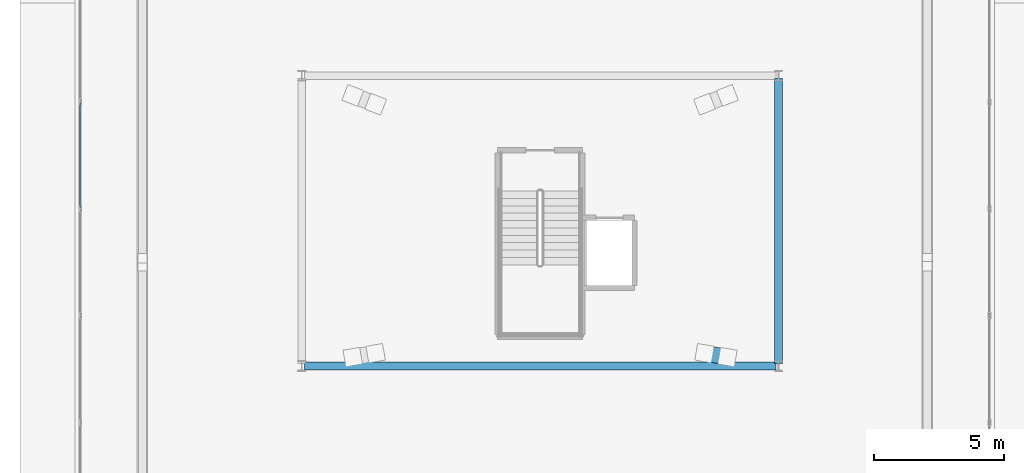
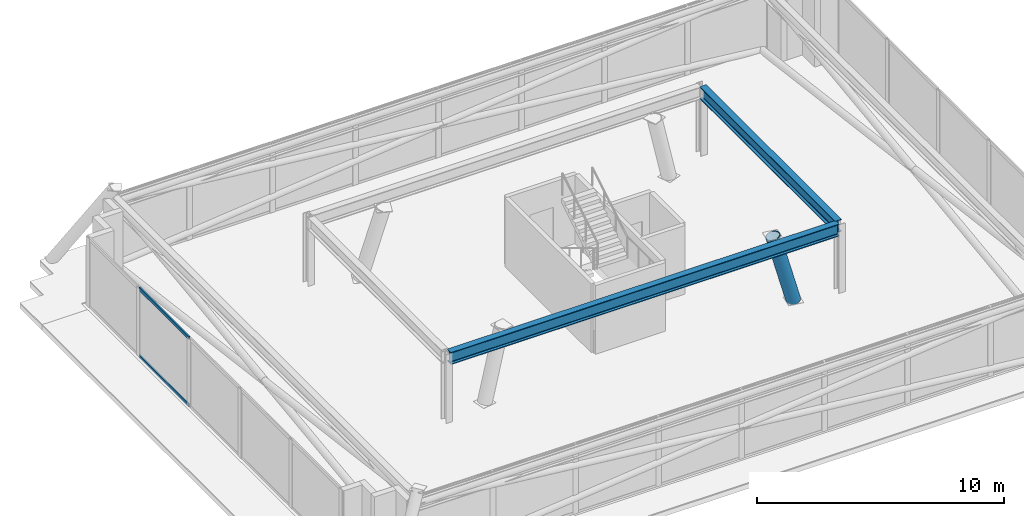
# One storey, part 7 of 18: 3 members, 2 beams, 1 element without a shape of its own.
"""IFC4 building model written with IfcOpenShell, lengths in metres."""

from ifc_helpers import new_model, si_unit, direction, frame, origin, origin_2d, place, context, subcontext, project, spatial, hollow_rectangle, hollow_circle, i_section, extrude, material, layer, layer_set, material_profile, profile_set, type_object, element, aggregate, save


model = new_model("IFC4")

# Units and contexts
model_context = context("Model", 3, precision=1e-05, world=origin(), true_north=direction((0.0, 1.0)))
body_context = subcontext(model_context, "Body", "Model", "MODEL_VIEW")
ifc_project = project(units=[si_unit("LENGTHUNIT", "METRE"), si_unit("AREAUNIT", "SQUARE_METRE"), si_unit("VOLUMEUNIT", "CUBIC_METRE"), si_unit("PLANEANGLEUNIT", "RADIAN"), si_unit("MASSUNIT", "GRAM", prefix="KILO")], contexts=[model_context])

# Site, building, storey
site_placement = place(None, origin())
site = spatial("IfcSite", under=ifc_project, at=site_placement, CompositionType="ELEMENT")
building_placement = place(site_placement, origin())
building = spatial("IfcBuilding", under=site, at=building_placement, Name="Qobustan Lattice House", CompositionType="ELEMENT")
storey_placement = place(building_placement, frame((0.0, 0.0, 277.800048828125)))
storey = spatial("IfcBuildingStorey", under=building, at=storey_placement, Name="L78", CompositionType="ELEMENT", Elevation=277.800048828125)

# Beams
ifc_material_1 = material(Name="Steel S355", Category="steel")
ifc_material_profile_1 = material_profile(ifc_material_1, i_section(OverallWidth=0.300048828125, OverallDepth=0.60009765625, WebThickness=0.015380859375, FlangeThickness=0.030029296875, FilletRadius=0.027099609375, at=origin_2d()), Name="HEB600")
ifc_profile_set_1 = profile_set([ifc_material_profile_1], Name="Steel S355")
beam_type = type_object("IfcBeamType", Name="BM-POD-HEB600", PredefinedType="USERDEFINED", material=ifc_profile_set_1)
beam_1_placement = place(storey_placement, frame((-9.10009765625, -5.60009765625, 3.099853515625), z_axis=(1.0, 0.0, 0.0), x_axis=(0.0, 1.0, 0.0)))
element("IfcBeam", 1, at=beam_1_placement, inside=storey, type_object=beam_type, Name="L78 crown support ring girder 1", ObjectType="GIRDER", PredefinedType="USERDEFINED", context=body_context, shape_type="SweptSolid", body=[
    extrude(i_section(OverallWidth=0.300048828125, OverallDepth=0.60009765625, WebThickness=0.015380859375, FlangeThickness=0.030029296875, FilletRadius=0.027099609375, at=origin_2d()), origin(), (0.0, 0.0, 1.0), 18.2001953125),
])
beam_2_placement = place(storey_placement, frame((9.199951171875, -5.5, 3.099853515625), z_axis=(0.0, 1.0, 0.0), x_axis=(-1.0, 0.0, 0.0)))
element("IfcBeam", 2, at=beam_2_placement, inside=storey, type_object=beam_type, Name="L78 crown support ring girder 2", ObjectType="GIRDER", PredefinedType="USERDEFINED", context=body_context, shape_type="SweptSolid", body=[
    extrude(i_section(OverallWidth=0.300048828125, OverallDepth=0.60009765625, WebThickness=0.015380859375, FlangeThickness=0.030029296875, FilletRadius=0.027099609375, at=origin_2d()), origin(), (0.0, 0.0, 1.0), 11.0),
])

# Curtain wall, members
ifc_material_2 = material(Name="Anodised aluminium and low-E glazing", Category="aluminium")
ifc_layer = layer(ifc_material_2, 0.219970703125)
ifc_layer_set = layer_set([ifc_layer], Name="Anodised aluminium and low-E glazing")
curtain_wall_type = type_object("IfcCurtainWallType", Name="CW-CRN-01", PredefinedType="USERDEFINED", material=ifc_layer_set)
curtain_wall_placement = place(storey_placement, origin())
curtain_wall = element("IfcCurtainWall", 3, at=curtain_wall_placement, inside=storey, type_object=curtain_wall_type, Name="L78 glass-point crown faceted curtain wall 5", ObjectType="CURTAIN WALL", PredefinedType="USERDEFINED")
ifc_material_3 = material(Name="Anodised aluminium EN AW-6063 T6", Category="aluminium")
ifc_material_profile_2 = material_profile(ifc_material_3, hollow_rectangle(XDim=0.06494140625, YDim=0.159912109375, WallThickness=0.00390625, at=origin_2d()), Name="CWT-160x65")
ifc_profile_set_2 = profile_set([ifc_material_profile_2], Name="Anodised aluminium EN AW-6063 T6")
member_type_1 = type_object("IfcMemberType", Name="CWT-HOR-160", PredefinedType="USERDEFINED", material=ifc_profile_set_2)
member_1_placement = place(storey_placement, frame((-17.74658203125, 0.505615234375, 0.032470703125), z_axis=(0.0, 1.0, 0.0), x_axis=(-1.0, 0.0, 0.0)))
member_1 = element("IfcMember", 4, at=member_1_placement, type_object=member_type_1, Name="CW-CR transom 4.1", ObjectType="TRANSOM", PredefinedType="USERDEFINED", context=body_context, shape_type="SweptSolid", body=[
    extrude(hollow_rectangle(XDim=0.06494140625, YDim=0.159912109375, WallThickness=0.00390625, at=origin_2d()), origin(), (0.0, 0.0, 1.0), 4.031494140625),
])
member_2_placement = place(storey_placement, frame((-17.74658203125, 0.505615234375, 3.367431640625), z_axis=(0.0, 1.0, 0.0), x_axis=(-1.0, 0.0, 0.0)))
member_2 = element("IfcMember", 5, at=member_2_placement, type_object=member_type_1, Name="CW-CR transom 4.2", ObjectType="TRANSOM", PredefinedType="USERDEFINED", context=body_context, shape_type="SweptSolid", body=[
    extrude(hollow_rectangle(XDim=0.06494140625, YDim=0.159912109375, WallThickness=0.00390625, at=origin_2d()), origin(), (0.0, 0.0, 1.0), 4.031494140625),
])
aggregate(curtain_wall, [member_1, member_2])

# Member
ifc_material_4 = material(Name="Steel S355", Category="steel")
ifc_material_profile_3 = material_profile(ifc_material_4, hollow_circle(Radius=0.304931640625, WallThickness=0.02490234375, at=origin_2d()), Name="CHS610x25")
ifc_profile_set_3 = profile_set([ifc_material_profile_3], Name="Steel S355")
member_type_2 = type_object("IfcMemberType", Name="MEM-SPR-CHS610", PredefinedType="USERDEFINED", material=ifc_profile_set_3)
member_3_placement = place(storey_placement, frame((7.2294921875, -5.26220703125, 0.0), z_axis=(-0.250701253102, 0.042987278579, 0.967109598532), x_axis=(-0.169001704881, -0.985615758674, 0.0)))
element("IfcMember", 6, at=member_3_placement, inside=storey, type_object=member_type_2, Name="L78 crown spire leg SL2", ObjectType="CROWN FRAME", PredefinedType="USERDEFINED", context=body_context, shape_type="SweptSolid", body=[
    extrude(hollow_circle(Radius=0.304931640625, WallThickness=0.02490234375, at=origin_2d()), origin(), (0.0, 0.0, 1.0), 3.515625),
])

save(model, "model.ifc")
